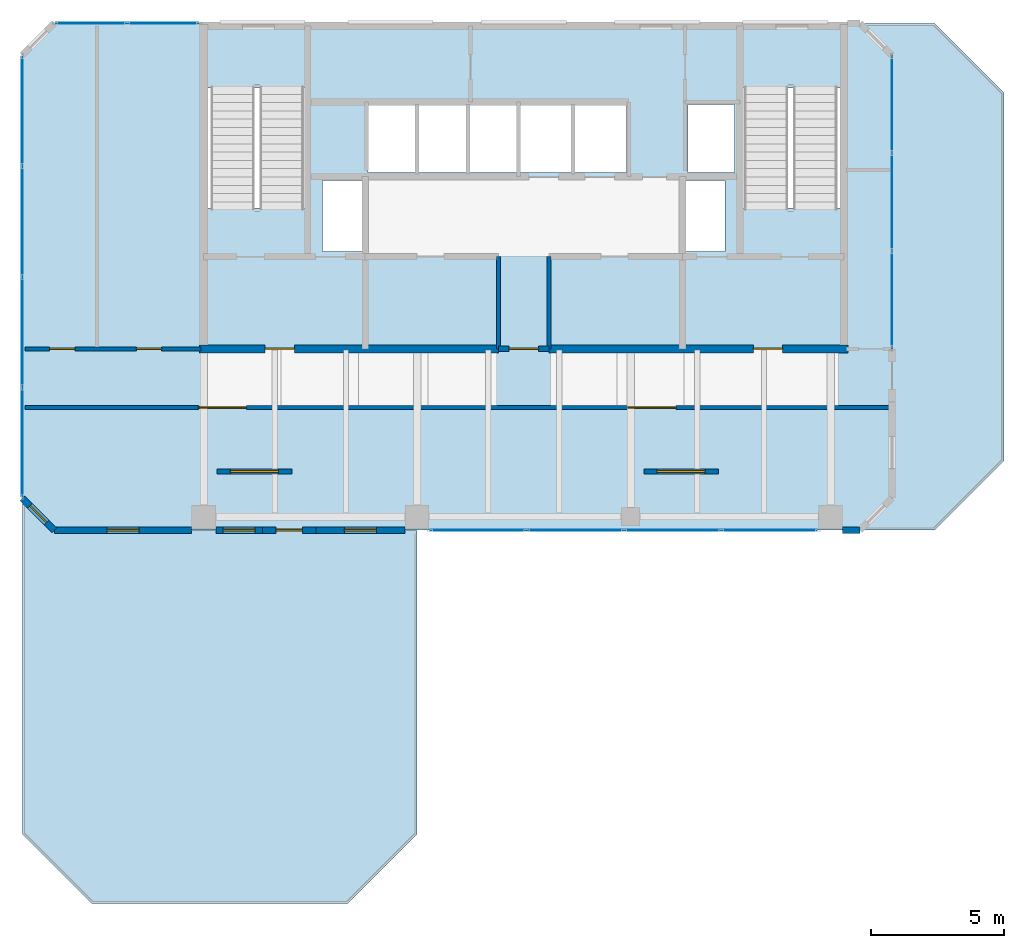
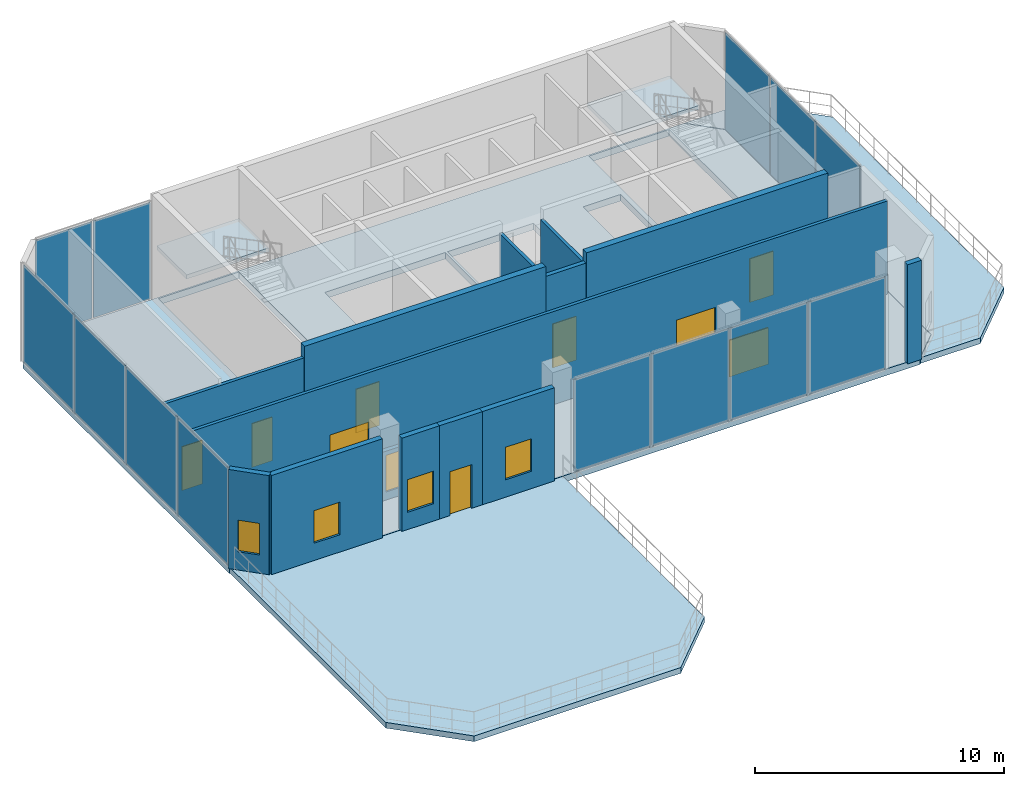
# One storey, part 7 of 11: 15 walls, 13 plates, 8 doors, 6 windows, 5 slabs, 14 openings, 6 elements without a shape of their own.
"""IFC4 building model written with IfcOpenShell, lengths in metres."""

from ifc_helpers import new_model, si_unit, direction, frame, frame_2d, origin, origin_2d, place, context, subcontext, project, spatial, polyline, rectangle, outline, extrude, material, layer, layer_set, type_object, element, fill, aggregate, save


model = new_model("IFC4")

# Units and contexts
model_context = context("Model", 3, precision=1e-05, world=origin(), true_north=direction((0.0, 1.0)))
body_context = subcontext(model_context, "Body", "Model", "MODEL_VIEW")
ifc_project = project(units=[si_unit("LENGTHUNIT", "METRE"), si_unit("AREAUNIT", "SQUARE_METRE"), si_unit("VOLUMEUNIT", "CUBIC_METRE"), si_unit("PLANEANGLEUNIT", "RADIAN"), si_unit("MASSUNIT", "GRAM", prefix="KILO")], contexts=[model_context])

# Site, building, storey
site_placement = place(None, origin())
site = spatial("IfcSite", under=ifc_project, at=site_placement, CompositionType="ELEMENT")
building_placement = place(site_placement, origin())
building = spatial("IfcBuilding", under=site, at=building_placement, Name="Catumbela Crestline Tower", CompositionType="ELEMENT")
storey_placement = place(building_placement, frame((0.0, 0.0, 290.6)))
storey = spatial("IfcBuildingStorey", under=building, at=storey_placement, Name="L75", CompositionType="ELEMENT", Elevation=290.6)

# Curtain wall, plates
ifc_material_1 = material(Name="Aluminium alloy AW-6060-T66", Category="aluminium")
ifc_layer_1 = layer(ifc_material_1, 0.18, Name="Aluminium alloy AW-6060-T66")
ifc_layer_set_1 = layer_set([ifc_layer_1], Name="Aluminium alloy AW-6060-T66")
curtain_wall_type = type_object("IfcCurtainWallType", Name="CWS-OBS", PredefinedType="USERDEFINED", material=ifc_layer_set_1)
curtain_wall_1_placement = place(storey_placement, origin())
curtain_wall_1 = element("IfcCurtainWall", 1, at=curtain_wall_1_placement, inside=storey, type_object=curtain_wall_type, Name="L75 Stick Curtain Wall CW-L75-E0S4", ObjectType="STICK", PredefinedType="USERDEFINED")
ifc_material_2 = material(Name="Low-E laminated solar-control double glazing", Category="glass")
ifc_layer_2 = layer(ifc_material_2, 0.036, Name="Low-E laminated solar-control double glazing")
ifc_layer_set_2 = layer_set([ifc_layer_2], Name="Low-E laminated solar-control double glazing")
plate_type = type_object("IfcPlateType", Name="PNL-GLZ-OB", PredefinedType="CURTAIN_PANEL", material=ifc_layer_set_2)
plate_1_placement = place(storey_placement, frame((26.2912, 24.0, 0.06), z_axis=(0.0, 0.0, 1.0), x_axis=(1.0, 0.0, 0.0)))
plate_1 = element("IfcPlate", 2, at=plate_1_placement, type_object=plate_type, Name="CWS-OBS panel 1.1", PredefinedType="CURTAIN_PANEL", context=body_context, shape_type="SweptSolid", body=[
    extrude(rectangle(XDim=3.5525, YDim=0.034, at=origin_2d()), origin(), (0.0, 0.0, 1.0), 4.5),
])
plate_2_placement = place(storey_placement, frame((29.925, 24.0, 0.06), z_axis=(0.0, 0.0, 1.0), x_axis=(1.0, 0.0, 0.0)))
plate_2 = element("IfcPlate", 3, at=plate_2_placement, type_object=plate_type, Name="CWS-OBS panel 2.1", PredefinedType="CURTAIN_PANEL", context=body_context, shape_type="SweptSolid", body=[
    extrude(rectangle(XDim=3.585, YDim=0.034, at=origin_2d()), origin(), (0.0, 0.0, 1.0), 4.5),
])
plate_3_placement = place(storey_placement, frame((33.575, 24.0, 0.06), z_axis=(0.0, 0.0, 1.0), x_axis=(1.0, 0.0, 0.0)))
plate_3 = element("IfcPlate", 4, at=plate_3_placement, type_object=plate_type, Name="CWS-OBS panel 3.1", PredefinedType="CURTAIN_PANEL", context=body_context, shape_type="SweptSolid", body=[
    extrude(rectangle(XDim=3.585, YDim=0.034, at=origin_2d()), origin(), (0.0, 0.0, 1.0), 4.5),
])
plate_4_placement = place(storey_placement, frame((37.2088, 24.0, 0.06), z_axis=(0.0, 0.0, 1.0), x_axis=(1.0, 0.0, 0.0)))
plate_4 = element("IfcPlate", 5, at=plate_4_placement, type_object=plate_type, Name="CWS-OBS panel 4.1", PredefinedType="CURTAIN_PANEL", context=body_context, shape_type="SweptSolid", body=[
    extrude(rectangle(XDim=3.5525, YDim=0.034, at=origin_2d()), origin(), (0.0, 0.0, 1.0), 4.5),
])
aggregate(curtain_wall_1, [plate_1, plate_2, plate_3, plate_4])

curtain_wall_2_placement = place(storey_placement, origin())
curtain_wall_2 = element("IfcCurtainWall", 6, at=curtain_wall_2_placement, inside=storey, type_object=curtain_wall_type, Name="L75 Stick Curtain Wall CW-L75-E2S2", ObjectType="STICK", PredefinedType="USERDEFINED")
plate_5_placement = place(storey_placement, frame((41.8, 32.6496, 0.06), z_axis=(0.0, 0.0, 1.0), x_axis=(0.0, 1.0, 0.0)))
plate_5 = element("IfcPlate", 7, at=plate_5_placement, type_object=plate_type, Name="CWS-OBS panel 1.1", PredefinedType="CURTAIN_PANEL", context=body_context, shape_type="SweptSolid", body=[
    extrude(rectangle(XDim=3.5692, YDim=0.034, at=origin_2d()), origin(), (0.0, 0.0, 1.0), 4.75),
])
plate_6_placement = place(storey_placement, frame((41.8, 36.3, 0.06), z_axis=(0.0, 0.0, 1.0), x_axis=(0.0, 1.0, 0.0)))
plate_6 = element("IfcPlate", 8, at=plate_6_placement, type_object=plate_type, Name="CWS-OBS panel 2.1", PredefinedType="CURTAIN_PANEL", context=body_context, shape_type="SweptSolid", body=[
    extrude(rectangle(XDim=3.6017, YDim=0.034, at=origin_2d()), origin(), (0.0, 0.0, 1.0), 4.75),
])
plate_7_placement = place(storey_placement, frame((41.8, 39.9504, 0.06), z_axis=(0.0, 0.0, 1.0), x_axis=(0.0, 1.0, 0.0)))
plate_7 = element("IfcPlate", 9, at=plate_7_placement, type_object=plate_type, Name="CWS-OBS panel 3.1", PredefinedType="CURTAIN_PANEL", context=body_context, shape_type="SweptSolid", body=[
    extrude(rectangle(XDim=3.5692, YDim=0.034, at=origin_2d()), origin(), (0.0, 0.0, 1.0), 4.75),
])
aggregate(curtain_wall_2, [plate_5, plate_6, plate_7])

curtain_wall_3_placement = place(storey_placement, origin())
curtain_wall_3 = element("IfcCurtainWall", 10, at=curtain_wall_3_placement, inside=storey, type_object=curtain_wall_type, Name="L75 Stick Curtain Wall CW-L75-E4S2", ObjectType="STICK", PredefinedType="USERDEFINED")
plate_8_placement = place(storey_placement, frame((14.4788, 43.0, 0.06), z_axis=(0.0, 0.0, 1.0), x_axis=(-1.0, 0.0, 0.0)))
plate_8 = element("IfcPlate", 11, at=plate_8_placement, type_object=plate_type, Name="CWS-OBS panel 1.1", PredefinedType="CURTAIN_PANEL", context=body_context, shape_type="SweptSolid", body=[
    extrude(rectangle(XDim=2.6325, YDim=0.034, at=origin_2d()), origin(), (0.0, 0.0, 1.0), 4.75),
])
plate_9_placement = place(storey_placement, frame((11.7812, 43.0, 0.06), z_axis=(0.0, 0.0, 1.0), x_axis=(-1.0, 0.0, 0.0)))
plate_9 = element("IfcPlate", 12, at=plate_9_placement, type_object=plate_type, Name="CWS-OBS panel 2.1", PredefinedType="CURTAIN_PANEL", context=body_context, shape_type="SweptSolid", body=[
    extrude(rectangle(XDim=2.6325, YDim=0.034, at=origin_2d()), origin(), (0.0, 0.0, 1.0), 4.75),
])
aggregate(curtain_wall_3, [plate_8, plate_9])

curtain_wall_4_placement = place(storey_placement, origin())
curtain_wall_4 = element("IfcCurtainWall", 13, at=curtain_wall_4_placement, inside=storey, type_object=curtain_wall_type, Name="L75 Stick Curtain Wall CW-L75-E6S1", ObjectType="STICK", PredefinedType="USERDEFINED")
plate_10_placement = place(storey_placement, frame((9.2, 39.7088, 0.06), z_axis=(0.0, 0.0, 1.0), x_axis=(0.0, -1.0, 0.0)))
plate_10 = element("IfcPlate", 14, at=plate_10_placement, type_object=plate_type, Name="CWS-OBS panel 1.1", PredefinedType="CURTAIN_PANEL", context=body_context, shape_type="SweptSolid", body=[
    extrude(rectangle(XDim=4.0525, YDim=0.034, at=origin_2d()), origin(), (0.0, 0.0, 1.0), 4.75),
])
plate_11_placement = place(storey_placement, frame((9.2, 35.575, 0.06), z_axis=(0.0, 0.0, 1.0), x_axis=(0.0, -1.0, 0.0)))
plate_11 = element("IfcPlate", 15, at=plate_11_placement, type_object=plate_type, Name="CWS-OBS panel 2.1", PredefinedType="CURTAIN_PANEL", context=body_context, shape_type="SweptSolid", body=[
    extrude(rectangle(XDim=4.085, YDim=0.034, at=origin_2d()), origin(), (0.0, 0.0, 1.0), 4.75),
])
plate_12_placement = place(storey_placement, frame((9.2, 31.425, 0.06), z_axis=(0.0, 0.0, 1.0), x_axis=(0.0, -1.0, 0.0)))
plate_12 = element("IfcPlate", 16, at=plate_12_placement, type_object=plate_type, Name="CWS-OBS panel 3.1", PredefinedType="CURTAIN_PANEL", context=body_context, shape_type="SweptSolid", body=[
    extrude(rectangle(XDim=4.085, YDim=0.034, at=origin_2d()), origin(), (0.0, 0.0, 1.0), 4.75),
])
plate_13_placement = place(storey_placement, frame((9.2, 27.2912, 0.06), z_axis=(0.0, 0.0, 1.0), x_axis=(0.0, -1.0, 0.0)))
plate_13 = element("IfcPlate", 17, at=plate_13_placement, type_object=plate_type, Name="CWS-OBS panel 4.1", PredefinedType="CURTAIN_PANEL", context=body_context, shape_type="SweptSolid", body=[
    extrude(rectangle(XDim=4.0525, YDim=0.034, at=origin_2d()), origin(), (0.0, 0.0, 1.0), 4.75),
])
aggregate(curtain_wall_4, [plate_10, plate_11, plate_12, plate_13])

# Slabs
ifc_material_3 = material(Name="Concrete C45/55", Category="concrete")
ifc_layer_3 = layer(ifc_material_3, 0.28, Name="Concrete C45/55")
ifc_layer_set_3 = layer_set([ifc_layer_3], Name="Concrete C45/55")
slab_type_1 = type_object("IfcSlabType", Name="SR-280C", PredefinedType="ROOF", material=ifc_layer_set_3)
slab_1_placement = place(storey_placement, frame((0.0, 0.0, -0.28)))
element("IfcSlab", 18, at=slab_1_placement, inside=storey, type_object=slab_type_1, Name="L75 Stepped Terrace Cap Roof Slab 1", PredefinedType="ROOF", context=body_context, shape_type="SweptSolid", body=[
    extrude(outline(polyline([(21.4, 10.0), (11.8, 10.0), (9.2, 12.6), (9.2, 25.1859), (10.3959, 23.99), (24.0, 23.99), (24.0, 12.6), (21.4, 10.0)])), origin(), (0.0, 0.0, 1.0), 0.28),
])
slab_2_placement = place(storey_placement, frame((0.0, 0.0, -0.28)))
element("IfcSlab", 19, at=slab_2_placement, inside=storey, type_object=slab_type_1, Name="L75 Stepped Terrace Cap Roof Slab 2", PredefinedType="ROOF", context=body_context, shape_type="SweptSolid", body=[
    extrude(outline(polyline([(46.0, 40.4), (46.0, 26.6), (43.4, 24.0), (40.6141, 24.0), (41.81, 25.1959), (41.81, 41.8041), (40.6141, 43.0), (43.4, 43.0), (46.0, 40.4)])), origin(), (0.0, 0.0, 1.0), 0.28),
])

# Stair, slab
stair_type = type_object("IfcStairType", Name="ST-DLG", PredefinedType="HALF_TURN_STAIR", material=ifc_material_3)
stair_1_placement = place(storey_placement, origin())
stair_1 = element("IfcStair", 20, at=stair_1_placement, inside=storey, type_object=stair_type, Name="L75 West Core Pressurised Exit Stair ST-01", PredefinedType="HALF_TURN_STAIR")
ifc_layer_4 = layer(ifc_material_3, 0.2, Name="Concrete C45/55")
ifc_layer_set_4 = layer_set([ifc_layer_4], Name="Concrete C45/55")
slab_type_2 = type_object("IfcSlabType", Name="SL-LND", PredefinedType="LANDING", material=ifc_layer_set_4)
slab_3_placement = place(storey_placement, frame((0.0, 0.0, 2.4)))
slab_3 = element("IfcSlab", 21, at=slab_3_placement, type_object=slab_type_2, Name="ST-01 landing 1", PredefinedType="LANDING", context=body_context, shape_type="SweptSolid", body=[
    extrude(outline(polyline([(19.91, 40.57), (19.91, 42.96), (16.09, 42.96), (16.09, 40.57), (19.91, 40.57)])), origin(), (0.0, 0.0, 1.0), 0.2),
])
aggregate(stair_1, [slab_3])

stair_2_placement = place(storey_placement, origin())
stair_2 = element("IfcStair", 22, at=stair_2_placement, inside=storey, type_object=stair_type, Name="L75 East Core Pressurised Exit Stair ST-02", PredefinedType="HALF_TURN_STAIR")
slab_4_placement = place(storey_placement, frame((0.0, 0.0, 2.4)))
slab_4 = element("IfcSlab", 23, at=slab_4_placement, type_object=slab_type_2, Name="ST-02 landing 1", PredefinedType="LANDING", context=body_context, shape_type="SweptSolid", body=[
    extrude(outline(polyline([(39.91, 40.57), (39.91, 42.96), (36.09, 42.96), (36.09, 40.57), (39.91, 40.57)])), origin(), (0.0, 0.0, 1.0), 0.2),
])
aggregate(stair_2, [slab_4])

# Slab
ifc_material_4 = material(Name="Concrete C50/60", Category="concrete")
ifc_layer_5 = layer(ifc_material_4, 0.32, Name="Concrete C50/60")
ifc_layer_set_5 = layer_set([ifc_layer_5], Name="Concrete C50/60")
slab_type_3 = type_object("IfcSlabType", Name="SL-320V", PredefinedType="FLOOR", material=ifc_layer_set_5)
slab_5_placement = place(storey_placement, frame((0.0, 0.0, -0.32)))
element("IfcSlab", 24, at=slab_5_placement, inside=storey, type_object=slab_type_3, Name="L75 Structural Floor Slab", PredefinedType="FLOOR", context=body_context, shape_type="SweptSolid", body=[
    extrude(outline(polyline([(10.4, 24.0), (40.6, 24.0), (41.8, 25.2), (41.8, 41.8), (40.6, 43.0), (10.4, 43.0), (9.2, 41.8), (9.2, 25.2), (10.4, 24.0)]), holes=[polyline([(16.13, 36.08), (19.87, 36.08), (19.87, 42.92), (16.13, 42.92), (16.13, 36.08)]), polyline([(36.13, 36.08), (39.87, 36.08), (39.87, 42.92), (36.13, 42.92), (36.13, 36.08)]), polyline([(22.15, 37.4), (27.75, 37.4), (27.75, 39.95), (22.15, 39.95), (22.15, 37.4)]), polyline([(27.85, 37.4), (31.85, 37.4), (31.85, 39.95), (27.85, 39.95), (27.85, 37.4)]), polyline([(20.45, 34.45), (21.95, 34.45), (21.95, 37.1), (20.45, 37.1), (20.45, 34.45)]), polyline([(34.05, 34.45), (35.55, 34.45), (35.55, 37.1), (34.05, 37.1), (34.05, 34.45)]), polyline([(34.15, 37.4), (35.9, 37.4), (35.9, 39.95), (34.15, 39.95), (34.15, 37.4)])]), origin(), (0.0, 0.0, 1.0), 0.32),
])

# Wall, opening, door
ifc_layer_6 = layer(ifc_material_3, 0.3, Name="Concrete C45/55")
ifc_layer_set_6 = layer_set([ifc_layer_6], Name="Concrete C45/55")
wall_type_1 = type_object("IfcWallType", Name="CW-300C", PredefinedType="SHEAR", material=ifc_layer_set_6)
wall_1_placement = place(storey_placement, frame((15.85, 30.8, 0.0), z_axis=(0.0, 0.0, 1.0), x_axis=(1.0, 0.0, 0.0)))
wall_1 = element("IfcWall", 25, at=wall_1_placement, inside=storey, type_object=wall_type_1, Name="L75 Structural Core Shear Wall SW", PredefinedType="SHEAR", context=body_context, shape_type="SweptSolid", body=[
    extrude(rectangle(XDim=11.2, YDim=0.3, at=frame_2d((5.6, 0.0))), origin(), (0.0, 0.0, 1.0), 5.2),
])
opening_1_placement = place(wall_1_placement, frame((2.45, 0.0, 0.0)))
opening_1 = element("IfcOpeningElement", 26, at=opening_1_placement, cuts=wall_1, Name="Opening DF9-110", PredefinedType="OPENING", context=body_context, shape_type="SweptSolid", body=[
    extrude(rectangle(XDim=1.1, YDim=2.15, at=frame_2d((0.55, 1.075))), frame((0.0, 0.16, 0.0), z_axis=(0.0, -1.0, 0.0), x_axis=(1.0, 0.0, 0.0)), (0.0, 0.0, 1.0), 0.32),
])
ifc_material_5 = material(Name="Stainless steel EN 1.4401", Category="steel")
door_type_1 = type_object("IfcDoorType", Name="DF9-110", OperationType="NOTDEFINED", PredefinedType="DOOR", material=ifc_material_5)
door_1_placement = place(opening_1_placement, origin())
door_1 = element("IfcDoor", 27, at=door_1_placement, inside=storey, type_object=door_type_1, Name="L75 Interior Door DR-L75-FFW-S", OperationType="SINGLE_SWING_LEFT", OverallHeight=2.15, OverallWidth=1.1, PredefinedType="DOOR", context=body_context, shape_type="SweptSolid", body=[
    extrude(rectangle(XDim=1.1, YDim=2.15, at=frame_2d((0.55, 1.075))), frame((0.0, 0.025, 0.0), z_axis=(0.0, -1.0, 0.0), x_axis=(1.0, 0.0, 0.0)), (0.0, 0.0, 1.0), 0.05),
])
fill(opening_1, door_1)

wall_2_placement = place(storey_placement, frame((28.95, 30.8, 0.0), z_axis=(0.0, 0.0, 1.0), x_axis=(1.0, 0.0, 0.0)))
wall_2 = element("IfcWall", 28, at=wall_2_placement, inside=storey, type_object=wall_type_1, Name="L75 Structural Core Shear Wall SE", PredefinedType="SHEAR", context=body_context, shape_type="SweptSolid", body=[
    extrude(rectangle(XDim=11.2, YDim=0.3, at=frame_2d((5.6, 0.0))), origin(), (0.0, 0.0, 1.0), 5.2),
])
opening_2_placement = place(wall_2_placement, frame((7.65, 0.0, 0.0)))
opening_2 = element("IfcOpeningElement", 29, at=opening_2_placement, cuts=wall_2, Name="Opening DF9-110", PredefinedType="OPENING", context=body_context, shape_type="SweptSolid", body=[
    extrude(rectangle(XDim=1.1, YDim=2.15, at=frame_2d((0.55, 1.075))), frame((0.0, 0.16, 0.0), z_axis=(0.0, -1.0, 0.0), x_axis=(1.0, 0.0, 0.0)), (0.0, 0.0, 1.0), 0.32),
])
door_2_placement = place(opening_2_placement, origin())
door_2 = element("IfcDoor", 30, at=door_2_placement, inside=storey, type_object=door_type_1, Name="L75 Interior Door DR-L75-FFE-S", OperationType="SINGLE_SWING_RIGHT", OverallHeight=2.15, OverallWidth=1.1, PredefinedType="DOOR", context=body_context, shape_type="SweptSolid", body=[
    extrude(rectangle(XDim=1.1, YDim=2.15, at=frame_2d((0.55, 1.075))), frame((0.0, 0.025, 0.0), z_axis=(0.0, -1.0, 0.0), x_axis=(1.0, 0.0, 0.0)), (0.0, 0.0, 1.0), 0.05),
])
fill(opening_2, door_2)

ifc_material_6 = material(Name="Acoustic gypsum and mineral-wool partition")
ifc_layer_7 = layer(ifc_material_6, 0.2, Name="Acoustic gypsum and mineral-wool partition")
ifc_layer_set_7 = layer_set([ifc_layer_7], Name="Acoustic gypsum and mineral-wool partition")
wall_type_2 = type_object("IfcWallType", Name="WC-200", PredefinedType="PARTITIONING", material=ifc_layer_set_7)
wall_3_placement = place(storey_placement, frame((27.05, 30.8, 0.0), z_axis=(0.0, 0.0, 1.0), x_axis=(1.0, 0.0, 0.0)))
wall_3 = element("IfcWall", 31, at=wall_3_placement, inside=storey, type_object=wall_type_2, Name="L75 Interior Partition PW-L75-CLOBS", PredefinedType="PARTITIONING", context=body_context, shape_type="SweptSolid", body=[
    extrude(rectangle(XDim=1.9, YDim=0.2, at=frame_2d((0.95, 0.0))), origin(), (0.0, 0.0, 1.0), 4.67),
])
opening_3_placement = place(wall_3_placement, frame((0.4, 0.0, 0.0)))
opening_3 = element("IfcOpeningElement", 32, at=opening_3_placement, cuts=wall_3, Name="Opening DF9-110", PredefinedType="OPENING", context=body_context, shape_type="SweptSolid", body=[
    extrude(rectangle(XDim=1.1, YDim=2.15, at=frame_2d((0.55, 1.075))), frame((0.0, 0.11, 0.0), z_axis=(0.0, -1.0, 0.0), x_axis=(1.0, 0.0, 0.0)), (0.0, 0.0, 1.0), 0.22),
])
door_3_placement = place(opening_3_placement, origin())
door_3 = element("IfcDoor", 33, at=door_3_placement, inside=storey, type_object=door_type_1, Name="L75 Interior Door DR-L75-CLOBS", OperationType="SINGLE_SWING_LEFT", OverallHeight=2.15, OverallWidth=1.1, PredefinedType="DOOR", context=body_context, shape_type="SweptSolid", body=[
    extrude(rectangle(XDim=1.1, YDim=2.15, at=frame_2d((0.55, 1.075))), frame((0.0, 0.025, 0.0), z_axis=(0.0, -1.0, 0.0), x_axis=(1.0, 0.0, 0.0)), (0.0, 0.0, 1.0), 0.05),
])
fill(opening_3, door_3)

ifc_material_7 = material(Name="Angolan grey-ochre granite", Category="masonry")
ifc_layer_8 = layer(ifc_material_7, 0.25, Name="Angolan grey-ochre granite")
ifc_layer_set_8 = layer_set([ifc_layer_8], Name="Angolan grey-ochre granite")
wall_type_3 = type_object("IfcWallType", Name="WE-250", PredefinedType="STANDARD", material=ifc_layer_set_8)
wall_4_placement = place(storey_placement, frame((18.2, 24.0, 0.0), z_axis=(0.0, 0.0, 1.0), x_axis=(1.0, 0.0, 0.0)))
wall_4 = element("IfcWall", 34, at=wall_4_placement, inside=storey, type_object=wall_type_3, Name="L75 Exterior Threshold Portal Wall DR-L75-STEP-S1", PredefinedType="STANDARD", context=body_context, shape_type="SweptSolid", body=[
    extrude(rectangle(XDim=2.0, YDim=0.25, at=frame_2d((1.0, 0.0))), origin(), (0.0, 0.0, 1.0), 4.58),
])
opening_4_placement = place(wall_4_placement, frame((0.5, 0.0, 0.0)))
opening_4 = element("IfcOpeningElement", 35, at=opening_4_placement, cuts=wall_4, Name="Opening DT-L75", PredefinedType="OPENING", context=body_context, shape_type="SweptSolid", body=[
    extrude(rectangle(XDim=1.0, YDim=2.15, at=frame_2d((0.5, 1.075))), frame((0.0, 0.135, 0.0), z_axis=(0.0, -1.0, 0.0), x_axis=(1.0, 0.0, 0.0)), (0.0, 0.0, 1.0), 0.27),
])
door_type_2 = type_object("IfcDoorType", Name="DB-1000", OperationType="NOTDEFINED", PredefinedType="DOOR", material=ifc_material_1)
door_4_placement = place(opening_4_placement, origin())
door_4 = element("IfcDoor", 36, at=door_4_placement, inside=storey, type_object=door_type_2, Name="L75 Stepped Terrace Access Door", OperationType="SINGLE_SWING_LEFT", OverallHeight=2.15, OverallWidth=1.0, PredefinedType="DOOR", context=body_context, shape_type="SweptSolid", body=[
    extrude(rectangle(XDim=1.0, YDim=2.15, at=frame_2d((0.5, 1.075))), frame((0.0, 0.025, 0.0), z_axis=(0.0, -1.0, 0.0), x_axis=(1.0, 0.0, 0.0)), (0.0, 0.0, 1.0), 0.05),
])
fill(opening_4, door_4)

# Wall, opening, window
wall_5_placement = place(storey_placement, frame((10.4, 24.0, 0.0), z_axis=(0.0, 0.0, 1.0), x_axis=(1.0, 0.0, 0.0)))
wall_5 = element("IfcWall", 37, at=wall_5_placement, inside=storey, type_object=wall_type_3, Name="L75 Granite Punched Window Wall 0-1", PredefinedType="STANDARD", context=body_context, shape_type="SweptSolid", body=[
    extrude(rectangle(XDim=5.15, YDim=0.25, at=frame_2d((2.575, 0.0))), origin(), (0.0, 0.0, 1.0), 4.87),
])
opening_5_placement = place(wall_5_placement, frame((1.975, 0.0, 0.85)))
opening_5 = element("IfcOpeningElement", 38, at=opening_5_placement, cuts=wall_5, Name="Opening WN-02", PredefinedType="OPENING", context=body_context, shape_type="SweptSolid", body=[
    extrude(rectangle(XDim=1.2, YDim=1.6, at=frame_2d((0.6, 0.8))), frame((0.0, 0.135, 0.0), z_axis=(0.0, -1.0, 0.0), x_axis=(1.0, 0.0, 0.0)), (0.0, 0.0, 1.0), 0.27),
])
window_type_1 = type_object("IfcWindowType", Name="WO-1200", PartitioningType="SINGLE_PANEL", PredefinedType="WINDOW", material=ifc_material_2)
window_1_placement = place(opening_5_placement, origin())
window_1 = element("IfcWindow", 39, at=window_1_placement, inside=storey, type_object=window_type_1, Name="L75 Facade Vision Window 614", OverallHeight=1.6, OverallWidth=1.2, PartitioningType="SINGLE_PANEL", PredefinedType="WINDOW", context=body_context, shape_type="SweptSolid", body=[
    extrude(rectangle(XDim=1.2, YDim=1.6, at=frame_2d((0.6, 0.8))), frame((0.0, 0.03, 0.0), z_axis=(0.0, -1.0, 0.0), x_axis=(1.0, 0.0, 0.0)), (0.0, 0.0, 1.0), 0.06),
])
fill(opening_5, window_1)

wall_6_placement = place(storey_placement, frame((16.45, 24.0, 0.0), z_axis=(0.0, 0.0, 1.0), x_axis=(1.0, 0.0, 0.0)))
wall_6 = element("IfcWall", 40, at=wall_6_placement, inside=storey, type_object=wall_type_3, Name="L75 Granite Punched Window Wall 0-2", PredefinedType="STANDARD", context=body_context, shape_type="SweptSolid", body=[
    extrude(rectangle(XDim=1.75, YDim=0.25, at=frame_2d((0.875, 0.0))), origin(), (0.0, 0.0, 1.0), 4.58),
])
opening_6_placement = place(wall_6_placement, frame((0.275, 0.0, 0.85)))
opening_6 = element("IfcOpeningElement", 41, at=opening_6_placement, cuts=wall_6, Name="Opening WN-02", PredefinedType="OPENING", context=body_context, shape_type="SweptSolid", body=[
    extrude(rectangle(XDim=1.2, YDim=1.6, at=frame_2d((0.6, 0.8))), frame((0.0, 0.135, 0.0), z_axis=(0.0, -1.0, 0.0), x_axis=(1.0, 0.0, 0.0)), (0.0, 0.0, 1.0), 0.27),
])
window_2_placement = place(opening_6_placement, origin())
window_2 = element("IfcWindow", 42, at=window_2_placement, inside=storey, type_object=window_type_1, Name="L75 Facade Vision Window 615", OverallHeight=1.6, OverallWidth=1.2, PartitioningType="SINGLE_PANEL", PredefinedType="WINDOW", context=body_context, shape_type="SweptSolid", body=[
    extrude(rectangle(XDim=1.2, YDim=1.6, at=frame_2d((0.6, 0.8))), frame((0.0, 0.03, 0.0), z_axis=(0.0, -1.0, 0.0), x_axis=(1.0, 0.0, 0.0)), (0.0, 0.0, 1.0), 0.06),
])
fill(opening_6, window_2)

wall_7_placement = place(storey_placement, frame((20.2, 24.0, 0.0), z_axis=(0.0, 0.0, 1.0), x_axis=(1.0, 0.0, 0.0)))
wall_7 = element("IfcWall", 43, at=wall_7_placement, inside=storey, type_object=wall_type_3, Name="L75 Granite Punched Window Wall 0-3", PredefinedType="STANDARD", context=body_context, shape_type="SweptSolid", body=[
    extrude(rectangle(XDim=3.35, YDim=0.25, at=frame_2d((1.675, 0.0))), origin(), (0.0, 0.0, 1.0), 4.58),
])
opening_7_placement = place(wall_7_placement, frame((1.075, 0.0, 0.85)))
opening_7 = element("IfcOpeningElement", 44, at=opening_7_placement, cuts=wall_7, Name="Opening WN-02", PredefinedType="OPENING", context=body_context, shape_type="SweptSolid", body=[
    extrude(rectangle(XDim=1.2, YDim=1.6, at=frame_2d((0.6, 0.8))), frame((0.0, 0.135, 0.0), z_axis=(0.0, -1.0, 0.0), x_axis=(1.0, 0.0, 0.0)), (0.0, 0.0, 1.0), 0.27),
])
window_3_placement = place(opening_7_placement, origin())
window_3 = element("IfcWindow", 45, at=window_3_placement, inside=storey, type_object=window_type_1, Name="L75 Facade Vision Window 616", OverallHeight=1.6, OverallWidth=1.2, PartitioningType="SINGLE_PANEL", PredefinedType="WINDOW", context=body_context, shape_type="SweptSolid", body=[
    extrude(rectangle(XDim=1.2, YDim=1.6, at=frame_2d((0.6, 0.8))), frame((0.0, 0.03, 0.0), z_axis=(0.0, -1.0, 0.0), x_axis=(1.0, 0.0, 0.0)), (0.0, 0.0, 1.0), 0.06),
])
fill(opening_7, window_3)

# Wall
wall_8_placement = place(storey_placement, frame((39.95, 24.0, 0.0), z_axis=(0.0, 0.0, 1.0), x_axis=(1.0, 0.0, 0.0)))
element("IfcWall", 46, at=wall_8_placement, inside=storey, type_object=wall_type_3, Name="L75 Granite Punched Window Wall 0-5", PredefinedType="STANDARD", context=body_context, shape_type="SweptSolid", body=[
    extrude(rectangle(XDim=0.65, YDim=0.25, at=frame_2d((0.325, 0.0))), origin(), (0.0, 0.0, 1.0), 4.87),
])

# Wall, opening, window
wall_9_placement = place(storey_placement, frame((9.2, 25.2, 0.0), z_axis=(0.0, 0.0, 1.0), x_axis=(0.707106781187, -0.707106781187, 0.0)))
wall_9 = element("IfcWall", 47, at=wall_9_placement, inside=storey, type_object=wall_type_3, Name="L75 Granite Punched Window Wall 7-1", PredefinedType="STANDARD", context=body_context, shape_type="SweptSolid", body=[
    extrude(rectangle(XDim=1.6971, YDim=0.25, at=frame_2d((0.8486, 0.0))), origin(), (0.0, 0.0, 1.0), 4.87),
])
opening_8_placement = place(wall_9_placement, frame((0.3986, 0.0, 0.9)))
opening_8 = element("IfcOpeningElement", 48, at=opening_8_placement, cuts=wall_9, Name="Opening WN-03", PredefinedType="OPENING", context=body_context, shape_type="SweptSolid", body=[
    extrude(rectangle(XDim=0.9, YDim=1.55, at=frame_2d((0.45, 0.775))), frame((0.0, 0.135, 0.0), z_axis=(0.0, -1.0, 0.0), x_axis=(1.0, 0.0, 0.0)), (0.0, 0.0, 1.0), 0.27),
])
window_type_2 = type_object("IfcWindowType", Name="WO-0900", PartitioningType="SINGLE_PANEL", PredefinedType="WINDOW", material=ifc_material_2)
window_4_placement = place(opening_8_placement, origin())
window_4 = element("IfcWindow", 49, at=window_4_placement, inside=storey, type_object=window_type_2, Name="L75 Facade Vision Window 621", OverallHeight=1.55, OverallWidth=0.9, PartitioningType="SINGLE_PANEL", PredefinedType="WINDOW", context=body_context, shape_type="SweptSolid", body=[
    extrude(rectangle(XDim=0.9, YDim=1.55, at=frame_2d((0.45, 0.775))), frame((0.0, 0.03, 0.0), z_axis=(0.0, -1.0, 0.0), x_axis=(1.0, 0.0, 0.0)), (0.0, 0.0, 1.0), 0.06),
])
fill(opening_8, window_4)

ifc_material_8 = material(Name="Concrete C40/50", Category="concrete")
ifc_layer_9 = layer(ifc_material_8, 0.2, Name="Concrete C40/50")
ifc_layer_set_9 = layer_set([ifc_layer_9], Name="Concrete C40/50")
wall_type_4 = type_object("IfcWallType", Name="WP-200", PredefinedType="PARAPET", material=ifc_layer_set_9)
wall_10_placement = place(storey_placement, frame((16.5, 26.2, 0.0), z_axis=(0.0, 0.0, 1.0), x_axis=(1.0, 0.0, 0.0)))
wall_10 = element("IfcWall", 50, at=wall_10_placement, inside=storey, type_object=wall_type_4, Name="L75 Belvedere Clerestory Skylight Upstand 1", PredefinedType="PARAPET", context=body_context, shape_type="SweptSolid", body=[
    extrude(rectangle(XDim=2.8, YDim=0.2, at=frame_2d((1.4, 0.0))), origin(), (0.0, 0.0, 1.0), 2.4),
])
opening_9_placement = place(wall_10_placement, frame((0.5, 0.0, 0.4)))
opening_9 = element("IfcOpeningElement", 51, at=opening_9_placement, cuts=wall_10, Name="Opening WS-01", PredefinedType="OPENING", context=body_context, shape_type="SweptSolid", body=[
    extrude(rectangle(XDim=1.8, YDim=1.8, at=frame_2d((0.9, 0.9))), frame((0.0, 0.11, 0.0), z_axis=(0.0, -1.0, 0.0), x_axis=(1.0, 0.0, 0.0)), (0.0, 0.0, 1.0), 0.22),
])
window_type_3 = type_object("IfcWindowType", Name="WS-1800", PartitioningType="SINGLE_PANEL", PredefinedType="SKYLIGHT", material=ifc_material_2)
window_5_placement = place(opening_9_placement, origin())
window_5 = element("IfcWindow", 52, at=window_5_placement, inside=storey, type_object=window_type_3, Name="L75 Laminated Clerestory Skylight 1", OverallHeight=1.8, OverallWidth=1.8, PartitioningType="SINGLE_PANEL", PredefinedType="SKYLIGHT", context=body_context, shape_type="SweptSolid", body=[
    extrude(rectangle(XDim=1.8, YDim=1.8, at=frame_2d((0.9, 0.9))), frame((0.0, 0.03, 0.0), z_axis=(0.0, -1.0, 0.0), x_axis=(1.0, 0.0, 0.0)), (0.0, 0.0, 1.0), 0.06),
])
fill(opening_9, window_5)

wall_11_placement = place(storey_placement, frame((32.5, 26.2, 0.0), z_axis=(0.0, 0.0, 1.0), x_axis=(1.0, 0.0, 0.0)))
wall_11 = element("IfcWall", 53, at=wall_11_placement, inside=storey, type_object=wall_type_4, Name="L75 Belvedere Clerestory Skylight Upstand 2", PredefinedType="PARAPET", context=body_context, shape_type="SweptSolid", body=[
    extrude(rectangle(XDim=2.8, YDim=0.2, at=frame_2d((1.4, 0.0))), origin(), (0.0, 0.0, 1.0), 2.4),
])
opening_10_placement = place(wall_11_placement, frame((0.5, 0.0, 0.4)))
opening_10 = element("IfcOpeningElement", 54, at=opening_10_placement, cuts=wall_11, Name="Opening WS-02", PredefinedType="OPENING", context=body_context, shape_type="SweptSolid", body=[
    extrude(rectangle(XDim=1.8, YDim=1.8, at=frame_2d((0.9, 0.9))), frame((0.0, 0.11, 0.0), z_axis=(0.0, -1.0, 0.0), x_axis=(1.0, 0.0, 0.0)), (0.0, 0.0, 1.0), 0.22),
])
window_6_placement = place(opening_10_placement, origin())
window_6 = element("IfcWindow", 55, at=window_6_placement, inside=storey, type_object=window_type_3, Name="L75 Laminated Clerestory Skylight 2", OverallHeight=1.8, OverallWidth=1.8, PartitioningType="SINGLE_PANEL", PredefinedType="SKYLIGHT", context=body_context, shape_type="SweptSolid", body=[
    extrude(rectangle(XDim=1.8, YDim=1.8, at=frame_2d((0.9, 0.9))), frame((0.0, 0.03, 0.0), z_axis=(0.0, -1.0, 0.0), x_axis=(1.0, 0.0, 0.0)), (0.0, 0.0, 1.0), 0.06),
])
fill(opening_10, window_6)

# Wall, openings, doors
ifc_layer_10 = layer(ifc_material_6, 0.15, Name="Acoustic gypsum and mineral-wool partition")
ifc_layer_set_10 = layer_set([ifc_layer_10], Name="Acoustic gypsum and mineral-wool partition")
wall_type_5 = type_object("IfcWallType", Name="WP-150", PredefinedType="PARTITIONING", material=ifc_layer_set_10)
wall_12_placement = place(storey_placement, frame((9.3, 28.6, 0.0), z_axis=(0.0, 0.0, 1.0), x_axis=(1.0, 0.0, 0.0)))
wall_12 = element("IfcWall", 56, at=wall_12_placement, inside=storey, type_object=wall_type_5, Name="L75 Interior Partition PW-L75-OBS", PredefinedType="PARTITIONING", context=body_context, shape_type="SweptSolid", body=[
    extrude(rectangle(XDim=32.4, YDim=0.15, at=frame_2d((16.2, 0.0))), origin(), (0.0, 0.0, 1.0), 4.58),
])
opening_11_placement = place(wall_12_placement, frame((22.6, 0.0, 0.0)))
opening_11 = element("IfcOpeningElement", 57, at=opening_11_placement, cuts=wall_12, Name="Opening DD-180", PredefinedType="OPENING", context=body_context, shape_type="SweptSolid", body=[
    extrude(rectangle(XDim=1.8, YDim=2.15, at=frame_2d((0.9, 1.075))), frame((0.0, 0.085, 0.0), z_axis=(0.0, -1.0, 0.0), x_axis=(1.0, 0.0, 0.0)), (0.0, 0.0, 1.0), 0.17),
])
opening_12_placement = place(wall_12_placement, frame((6.5, 0.0, 0.0)))
opening_12 = element("IfcOpeningElement", 58, at=opening_12_placement, cuts=wall_12, Name="Opening DD-180", PredefinedType="OPENING", context=body_context, shape_type="SweptSolid", body=[
    extrude(rectangle(XDim=1.8, YDim=2.15, at=frame_2d((0.9, 1.075))), frame((0.0, 0.085, 0.0), z_axis=(0.0, -1.0, 0.0), x_axis=(1.0, 0.0, 0.0)), (0.0, 0.0, 1.0), 0.17),
])
door_type_3 = type_object("IfcDoorType", Name="DD-180", OperationType="NOTDEFINED", PredefinedType="DOOR", material=ifc_material_1)
door_5_placement = place(opening_11_placement, origin())
door_5 = element("IfcDoor", 59, at=door_5_placement, inside=storey, type_object=door_type_3, Name="L75 Interior Door DR-L75-OBS", OperationType="DOUBLE_DOOR_SINGLE_SWING", OverallHeight=2.15, OverallWidth=1.8, PredefinedType="DOOR", context=body_context, shape_type="SweptSolid", body=[
    extrude(rectangle(XDim=1.8, YDim=2.15, at=frame_2d((0.9, 1.075))), frame((0.0, 0.025, 0.0), z_axis=(0.0, -1.0, 0.0), x_axis=(1.0, 0.0, 0.0)), (0.0, 0.0, 1.0), 0.05),
])
fill(opening_11, door_5)
door_6_placement = place(opening_12_placement, origin())
door_6 = element("IfcDoor", 60, at=door_6_placement, inside=storey, type_object=door_type_3, Name="L75 Interior Door DR-L75-SHP", OperationType="DOUBLE_DOOR_SINGLE_SWING", OverallHeight=2.15, OverallWidth=1.8, PredefinedType="DOOR", context=body_context, shape_type="SweptSolid", body=[
    extrude(rectangle(XDim=1.8, YDim=2.15, at=frame_2d((0.9, 1.075))), frame((0.0, 0.025, 0.0), z_axis=(0.0, -1.0, 0.0), x_axis=(1.0, 0.0, 0.0)), (0.0, 0.0, 1.0), 0.05),
])
fill(opening_12, door_6)

wall_13_placement = place(storey_placement, frame((9.3, 30.8, 0.0), z_axis=(0.0, 0.0, 1.0), x_axis=(1.0, 0.0, 0.0)))
wall_13 = element("IfcWall", 61, at=wall_13_placement, inside=storey, type_object=wall_type_5, Name="L75 Interior Partition PW-L75-CAF", PredefinedType="PARTITIONING", context=body_context, shape_type="SweptSolid", body=[
    extrude(rectangle(XDim=6.6, YDim=0.15, at=frame_2d((3.3, 0.0))), origin(), (0.0, 0.0, 1.0), 4.58),
])
opening_13_placement = place(wall_13_placement, frame((0.925, 0.0, 0.0)))
opening_13 = element("IfcOpeningElement", 62, at=opening_13_placement, cuts=wall_13, Name="Opening DF6-095", PredefinedType="OPENING", context=body_context, shape_type="SweptSolid", body=[
    extrude(rectangle(XDim=0.95, YDim=2.15, at=frame_2d((0.475, 1.075))), frame((0.0, 0.085, 0.0), z_axis=(0.0, -1.0, 0.0), x_axis=(1.0, 0.0, 0.0)), (0.0, 0.0, 1.0), 0.17),
])
opening_14_placement = place(wall_13_placement, frame((4.175, 0.0, 0.0)))
opening_14 = element("IfcOpeningElement", 63, at=opening_14_placement, cuts=wall_13, Name="Opening DF6-095", PredefinedType="OPENING", context=body_context, shape_type="SweptSolid", body=[
    extrude(rectangle(XDim=0.95, YDim=2.15, at=frame_2d((0.475, 1.075))), frame((0.0, 0.085, 0.0), z_axis=(0.0, -1.0, 0.0), x_axis=(1.0, 0.0, 0.0)), (0.0, 0.0, 1.0), 0.17),
])
door_type_4 = type_object("IfcDoorType", Name="DF6-095", OperationType="NOTDEFINED", PredefinedType="DOOR", material=ifc_material_1)
door_7_placement = place(opening_13_placement, origin())
door_7 = element("IfcDoor", 64, at=door_7_placement, inside=storey, type_object=door_type_4, Name="L75 Interior Door DR-L75-CAF", OperationType="SINGLE_SWING_RIGHT", OverallHeight=2.15, OverallWidth=0.95, PredefinedType="DOOR", context=body_context, shape_type="SweptSolid", body=[
    extrude(rectangle(XDim=0.95, YDim=2.15, at=frame_2d((0.475, 1.075))), frame((0.0, 0.025, 0.0), z_axis=(0.0, -1.0, 0.0), x_axis=(1.0, 0.0, 0.0)), (0.0, 0.0, 1.0), 0.05),
])
fill(opening_13, door_7)
door_8_placement = place(opening_14_placement, origin())
door_8 = element("IfcDoor", 65, at=door_8_placement, inside=storey, type_object=door_type_4, Name="L75 Interior Door DR-L75-TKT", OperationType="SINGLE_SWING_LEFT", OverallHeight=2.15, OverallWidth=0.95, PredefinedType="DOOR", context=body_context, shape_type="SweptSolid", body=[
    extrude(rectangle(XDim=0.95, YDim=2.15, at=frame_2d((0.475, 1.075))), frame((0.0, 0.025, 0.0), z_axis=(0.0, -1.0, 0.0), x_axis=(1.0, 0.0, 0.0)), (0.0, 0.0, 1.0), 0.05),
])
fill(opening_14, door_8)

# Walls
ifc_layer_11 = layer(ifc_material_6, 0.15, Name="Acoustic gypsum and mineral-wool partition")
ifc_layer_set_11 = layer_set([ifc_layer_11], Name="Acoustic gypsum and mineral-wool partition")
wall_type_6 = type_object("IfcWallType", Name="WS-150", PredefinedType="PLUMBINGWALL", material=ifc_layer_set_11)
for number, where, z_axis, x_axis, name in (
    (66, (27.05, 30.8, 0.0), (0.0, 0.0, 1.0), (0.0, 1.0, 0.0), "L75 Interior Partition PW-L75-THRW"),
    (67, (28.95, 30.8, 0.0), (0.0, 0.0, 1.0), (0.0, 1.0, 0.0), "L75 Interior Partition PW-L75-THRE"),
):
    element("IfcWall", number, at=place(storey_placement, frame(where, z_axis=z_axis, x_axis=x_axis)), inside=storey, type_object=wall_type_6, Name=name, PredefinedType="PLUMBINGWALL", context=body_context, shape_type="SweptSolid", body=[
        extrude(rectangle(XDim=3.45, YDim=0.15, at=frame_2d((1.725, 0.0))), origin(), (0.0, 0.0, 1.0), 4.67),
    ])

save(model, "model.ifc")
